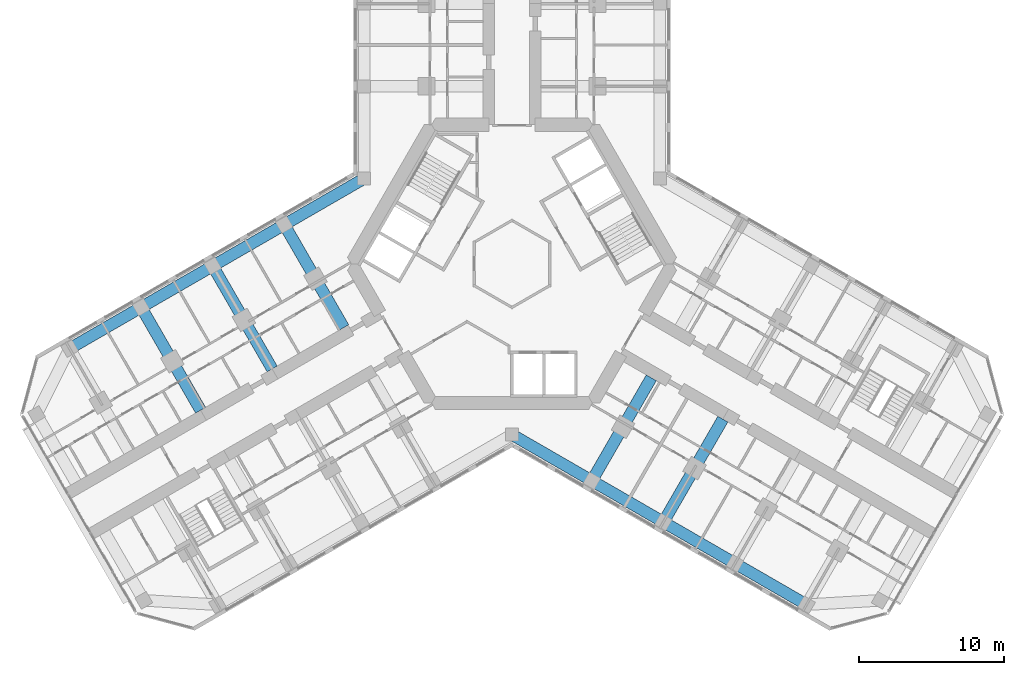
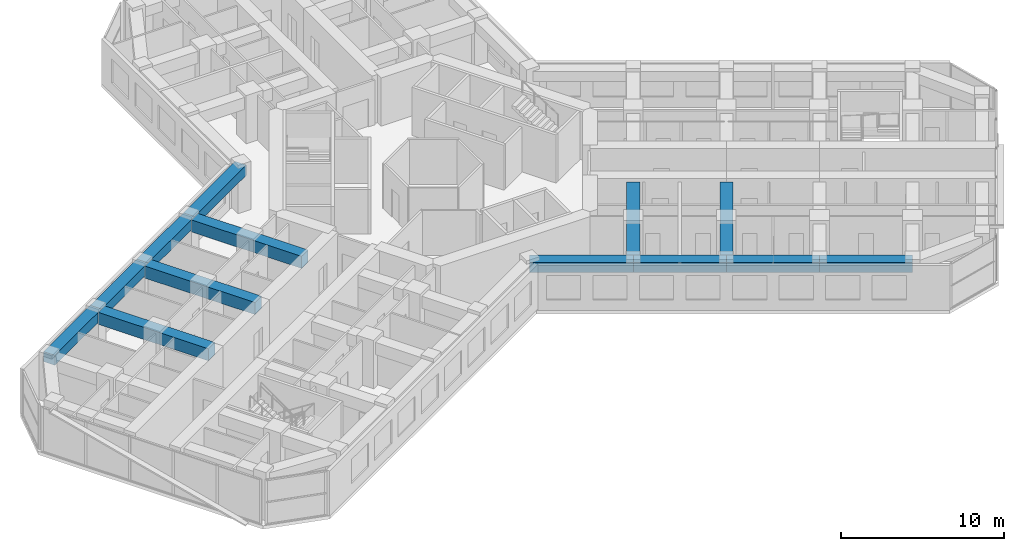
# One storey, part 4 of 19: 13 beams.
"""IFC4 building model written with IfcOpenShell, lengths in metres."""

import ifcopenshell
import ifcopenshell.guid

model = None  # the IFC model being written
_history = None  # IfcOwnerHistory: only IFC2X3 demands one
_inside = {}  # id of a spatial element -> (the spatial element, [elements in it])
_under = {}  # id of a project, library or spatial element -> (it, [spatial elements below it])
_declared = {}  # id of a project -> (the project, [libraries it declares])
_typed = {}  # id of a type object -> (the type object, [elements of that type])
_made_of = {}  # id of a material, layer set ... -> (it, [elements and type objects made of it])


def new_model(schema):
    """Start an empty IFC model of exactly this schema.

    Asked for "IFC4X3", IfcOpenShell would pick the latest addendum, in which some entities
    have other attributes; the version numbers below select the first issue.
    IFC2X3 requires an IfcOwnerHistory on every rooted entity: one is made here for all.
    """
    global model, _history
    if schema == "IFC4X3":
        model = ifcopenshell.file(schema_version=(4, 3, 0, 0))
    else:
        model = ifcopenshell.file(schema=schema)
    _inside.clear()
    _under.clear()
    _declared.clear()
    _typed.clear()
    _made_of.clear()
    _history = None
    if model.schema == "IFC2X3":
        org = make("IfcOrganization", Name="unknown")
        user = make(
            "IfcPersonAndOrganization",
            ThePerson=make("IfcPerson", FamilyName="unknown"),
            TheOrganization=org,
        )
        app = make(
            "IfcApplication",
            ApplicationDeveloper=org,
            Version="unknown",
            ApplicationFullName="unknown",
            ApplicationIdentifier="unknown",
        )
        _history = make(
            "IfcOwnerHistory",
            OwningUser=user,
            OwningApplication=app,
            ChangeAction="ADDED",
            CreationDate=0,
        )
    return model


def make(cls, **values):
    """One entity of the class cls with the attributes given. An attribute that is None is left unset."""
    return model.create_entity(
        cls, **{name: value for name, value in values.items() if value is not None}
    )


def rooted(cls, **values):
    """An entity with a GlobalId (a new one), such as an element, a storey or a relation."""
    return make(cls, GlobalId=ifcopenshell.guid.new(), OwnerHistory=_history, **values)


def si_unit(unit_type, name, prefix=None):
    """IfcSIUnit, for example si_unit("LENGTHUNIT", "METRE", prefix="MILLI")."""
    return make("IfcSIUnit", UnitType=unit_type, Prefix=prefix, Name=name)


def assignment(units):
    """IfcUnitAssignment: the units of a project."""
    return None if units is None else make("IfcUnitAssignment", Units=units)


def point(xyz):
    """IfcCartesianPoint."""
    return None if xyz is None else make("IfcCartesianPoint", Coordinates=xyz)


def direction(xyz):
    """IfcDirection."""
    return None if xyz is None else make("IfcDirection", DirectionRatios=xyz)


def frame(location, z_axis=None, x_axis=None):
    """IfcAxis2Placement3D, a coordinate frame: its origin and axes. An axis left out is left unset."""
    return make(
        "IfcAxis2Placement3D",
        Location=point(location),
        Axis=direction(z_axis),
        RefDirection=direction(x_axis),
    )


def frame_2d(location, x_axis=None):
    """IfcAxis2Placement2D, a coordinate frame in the plane: its origin and x axis."""
    return make(
        "IfcAxis2Placement2D", Location=point(location), RefDirection=direction(x_axis)
    )


def origin():
    """The frame at (0, 0, 0) with its axes left unset."""
    return frame((0.0, 0.0, 0.0))


def origin_2d():
    """The frame at (0, 0) in the plane with its x axis left unset."""
    return frame_2d((0.0, 0.0))


def place(relative_to, where):
    """IfcLocalPlacement: puts the frame where relative to a parent placement (None: the world)."""
    return make(
        "IfcLocalPlacement", PlacementRelTo=relative_to, RelativePlacement=where
    )


def context(
    kind, dimensions, precision=None, world=None, true_north=None, identifier=None
):
    """IfcGeometricRepresentationContext, for example the 3D "Model" context."""
    return make(
        "IfcGeometricRepresentationContext",
        ContextIdentifier=identifier,
        ContextType=kind,
        CoordinateSpaceDimension=dimensions,
        Precision=precision,
        WorldCoordinateSystem=world,
        TrueNorth=true_north,
    )


def subcontext(parent, identifier, kind, view, scale=None):
    """IfcGeometricRepresentationSubContext, for example "Body" below "Model"."""
    return make(
        "IfcGeometricRepresentationSubContext",
        ContextIdentifier=identifier,
        ContextType=kind,
        ParentContext=parent,
        TargetScale=scale,
        TargetView=view,
    )


def project(units=None, contexts=None):
    """IfcProject with its units and contexts."""
    return rooted(
        "IfcProject",
        Name="project",
        RepresentationContexts=contexts,
        UnitsInContext=assignment(units),
    )


def spatial(cls, under=None, at=None, **own):
    """A site, building, storey or space (cls), placed at a placement, below another one or the project."""
    s = rooted(cls, ObjectPlacement=at, **own)
    if under is not None:
        _under.setdefault(under.id(), (under, []))[1].append(s)
    return s


def profile(cls, at=None, kind="AREA", **sizes):
    """A parametric profile (cls). Its sizes go by their IFC names, for example OverallWidth=200.0."""
    return make(cls, ProfileType=kind, Position=at, **sizes)


def rectangle(**sizes):
    """IfcRectangleProfileDef."""
    return profile("IfcRectangleProfileDef", **sizes)


def extrude(swept, where, along, depth):
    """IfcExtrudedAreaSolid: the profile swept, set in the frame where, extruded along a direction by depth."""
    return make(
        "IfcExtrudedAreaSolid",
        SweptArea=swept,
        Position=where,
        ExtrudedDirection=direction(along),
        Depth=depth,
    )


def shape(context_of_items, identifier, shape_type, items):
    """IfcShapeRepresentation: the items that make up one representation, for example the "Body"."""
    return make(
        "IfcShapeRepresentation",
        ContextOfItems=context_of_items,
        RepresentationIdentifier=identifier,
        RepresentationType=shape_type,
        Items=items,
    )


def material(Name=None, Category=None):
    """IfcMaterial."""
    return make("IfcMaterial", Name=Name, Category=Category)


def material_profile(
    of_material, cross_section, Name=None, Category=None, Priority=None
):
    """IfcMaterialProfile: a cross section and its material."""
    return make(
        "IfcMaterialProfile",
        Name=Name,
        Material=of_material,
        Profile=cross_section,
        Priority=Priority,
        Category=Category,
    )


def profile_set(profiles, Name=None, composite=None):
    """IfcMaterialProfileSet."""
    return make(
        "IfcMaterialProfileSet",
        Name=Name,
        MaterialProfiles=profiles,
        CompositeProfile=composite,
    )


def made_of(thing, what):
    """Note that an element or type object is made of a material, layer set ...; save() writes the relation."""
    if what is not None:
        _made_of.setdefault(what.id(), (what, []))[1].append(thing)
    return thing


def type_object(cls, material=None, **own):
    """A type object (cls), such as IfcWallType, which elements share."""
    return made_of(rooted(cls, **own), material)


def element(
    cls,
    number,
    at=None,
    inside=None,
    cuts=None,
    type_object=None,
    material=None,
    context=None,
    identifier="Body",
    shape_type=None,
    held_by="IfcProductDefinitionShape",
    body=None,
    shapes=None,
    **own,
):
    """One element of the class cls, such as IfcWall. Its Tag is "e" and its number.

    at: its placement. inside: the storey or other place that contains it. cuts: it is an
    opening in that element (IfcRelVoidsElement). A single representation is given by context,
    identifier, shape_type and body (its items); several are given by shapes. held_by: the class
    of the entity that holds the representations. save() writes the other relations.
    """
    e = rooted(cls, Tag="e%d" % number, ObjectPlacement=at, **own)
    if body is not None:
        shapes = [shape(context, identifier, shape_type, body)]
    if shapes is not None:
        e.Representation = make(held_by, Representations=shapes)
    if inside is not None:
        _inside.setdefault(inside.id(), (inside, []))[1].append(e)
    if cuts is not None:
        rooted(
            "IfcRelVoidsElement", RelatingBuildingElement=cuts, RelatedOpeningElement=e
        )
    if type_object is not None:
        _typed.setdefault(type_object.id(), (type_object, []))[1].append(e)
    return made_of(e, material)


def aggregate(whole, parts):
    """IfcRelAggregates: a whole, such as a stair, and the parts it consists of."""
    return rooted("IfcRelAggregates", RelatingObject=whole, RelatedObjects=parts)


def save(model, path):
    """Write the relations noted so far, then the file.

    IfcRelAggregates (storeys below a building ...), IfcRelContainedInSpatialStructure (elements
    in a storey), IfcRelDefinesByType, IfcRelAssociatesMaterial and IfcRelDeclares: one each for
    every whole, place, type object, material and project.
    """
    for whole, parts in _under.values():
        aggregate(whole, parts)
    for where, things in _inside.values():
        rooted(
            "IfcRelContainedInSpatialStructure",
            RelatedElements=things,
            RelatingStructure=where,
        )
    for kind, things in _typed.values():
        rooted("IfcRelDefinesByType", RelatedObjects=things, RelatingType=kind)
    for what, things in _made_of.values():
        rooted("IfcRelAssociatesMaterial", RelatedObjects=things, RelatingMaterial=what)
    for by, libraries in _declared.values():
        rooted("IfcRelDeclares", RelatingContext=by, RelatedDefinitions=libraries)
    model.write(path)


model = new_model("IFC4")

# Units and contexts
model_context = context("Model", 3, precision=1e-05, world=origin(), true_north=direction((0.0, 1.0)))
body_context = subcontext(model_context, "Body", "Model", "MODEL_VIEW")
ifc_project = project(units=[si_unit("LENGTHUNIT", "METRE"), si_unit("AREAUNIT", "SQUARE_METRE"), si_unit("VOLUMEUNIT", "CUBIC_METRE"), si_unit("PLANEANGLEUNIT", "RADIAN"), si_unit("MASSUNIT", "GRAM", prefix="KILO")], contexts=[model_context])

# Site, building, storey
site_placement = place(None, origin())
site = spatial("IfcSite", under=ifc_project, at=site_placement, CompositionType="ELEMENT")
building_placement = place(site_placement, origin())
building = spatial("IfcBuilding", under=site, at=building_placement, Name="Kosmar Iwan School Tower", CompositionType="ELEMENT")
storey_placement = place(building_placement, frame((0.0, 0.0, 165.199951171875)))
storey = spatial("IfcBuildingStorey", under=building, at=storey_placement, Name="L41", CompositionType="ELEMENT", Elevation=165.199951171875)

# Beams
ifc_material_1 = material(Name="Concrete C50/60", Category="concrete")
ifc_material_profile_1 = material_profile(ifc_material_1, rectangle(XDim=0.800048828125, YDim=0.75, at=origin_2d()), Name="RC 800x750")
ifc_profile_set_1 = profile_set([ifc_material_profile_1], Name="Concrete C50/60")
beam_type_1 = type_object("IfcBeamType", Name="RC edge beam 800x750", PredefinedType="BEAM", material=ifc_profile_set_1)
beam_1_placement = place(storey_placement, frame((-10.199951171875, 5.888916015625, 2.97509765625), z_axis=(-0.866030912664, -0.49999045822, 0.0), x_axis=(0.49999045822, -0.866030912664, 0.0)))
element("IfcBeam", 1, at=beam_1_placement, inside=storey, type_object=beam_type_1, Name="Edge beam BR1", PredefinedType="BEAM", context=body_context, shape_type="SweptSolid", body=[
    extrude(rectangle(XDim=0.800048828125, YDim=0.75, at=origin_2d()), origin(), (0.0, 0.0, 1.0), 6.36083984375),
])
beam_2_placement = place(storey_placement, frame((-15.708740234375, 2.70849609375, 2.97509765625), z_axis=(-0.866025820012, -0.499999279071, 0.0), x_axis=(0.499999279071, -0.866025820012, 0.0)))
element("IfcBeam", 2, at=beam_2_placement, inside=storey, type_object=beam_type_1, Name="Edge beam BR2", PredefinedType="BEAM", context=body_context, shape_type="SweptSolid", body=[
    extrude(rectangle(XDim=0.800048828125, YDim=0.75, at=origin_2d()), origin(), (0.0, 0.0, 1.0), 5.7001953125),
])
for number, where, z_axis, x_axis, name in (
    (3, (-20.645263671875, -0.1416015625, 2.97509765625), (-0.866033658841, -0.49998570155, 0.0), (0.49998570155, -0.866033658841, 0.0), "Edge beam BR3"),
    (4, (-25.58154296875, -2.991455078125, 2.97509765625), (-0.866015111908, -0.50001782563, 0.0), (0.50001782563, -0.866015111908, 0.0), "Edge beam BR4"),
):
    element("IfcBeam", number, at=place(storey_placement, frame(where, z_axis=z_axis, x_axis=x_axis)), inside=storey, type_object=beam_type_1, Name=name, PredefinedType="BEAM", context=body_context, shape_type="SweptSolid", body=[
        extrude(rectangle(XDim=0.800048828125, YDim=0.75, at=origin_2d()), origin(), (0.0, 0.0, 1.0), 5.699951171875),
    ])
beam_3_placement = place(storey_placement, frame((0.0, -11.77783203125, 2.97509765625), z_axis=(0.866014293216, -0.500019243575, 0.0), x_axis=(0.500019243575, 0.866014293216, 0.0)))
element("IfcBeam", 5, at=beam_3_placement, inside=storey, type_object=beam_type_1, Name="Edge beam CR1", PredefinedType="BEAM", context=body_context, shape_type="SweptSolid", body=[
    extrude(rectangle(XDim=0.800048828125, YDim=0.75, at=origin_2d()), origin(), (0.0, 0.0, 1.0), 6.361083984375),
])
beam_4_placement = place(storey_placement, frame((5.5087890625, -14.95849609375, 2.97509765625), z_axis=(0.866033658841, -0.49998570155, 0.0), x_axis=(0.49998570155, 0.866033658841, 0.0)))
element("IfcBeam", 6, at=beam_4_placement, inside=storey, type_object=beam_type_1, Name="Edge beam CR2", PredefinedType="BEAM", context=body_context, shape_type="SweptSolid", body=[
    extrude(rectangle(XDim=0.800048828125, YDim=0.75, at=origin_2d()), origin(), (0.0, 0.0, 1.0), 5.699951171875),
])
beam_5_placement = place(storey_placement, frame((10.445068359375, -17.808349609375, 2.97509765625), z_axis=(0.866025820012, -0.499999279071, 0.0), x_axis=(0.499999279071, 0.866025820012, 0.0)))
element("IfcBeam", 7, at=beam_5_placement, inside=storey, type_object=beam_type_1, Name="Edge beam CR3", PredefinedType="BEAM", context=body_context, shape_type="SweptSolid", body=[
    extrude(rectangle(XDim=0.800048828125, YDim=0.75, at=origin_2d()), origin(), (0.0, 0.0, 1.0), 5.7001953125),
])
beam_6_placement = place(storey_placement, frame((15.381591796875, -20.658447265625, 2.97509765625), z_axis=(0.866015111908, -0.50001782563, 0.0), x_axis=(0.50001782563, 0.866015111908, 0.0)))
element("IfcBeam", 8, at=beam_6_placement, inside=storey, type_object=beam_type_1, Name="Edge beam CR4", PredefinedType="BEAM", context=body_context, shape_type="SweptSolid", body=[
    extrude(rectangle(XDim=0.800048828125, YDim=0.75, at=origin_2d()), origin(), (0.0, 0.0, 1.0), 5.699951171875),
])
ifc_material_2 = material(Name="Concrete C50/60", Category="concrete")
ifc_material_profile_2 = material_profile(ifc_material_2, rectangle(XDim=0.800048828125, YDim=0.89990234375, at=origin_2d()), Name="RC 800x900")
ifc_profile_set_2 = profile_set([ifc_material_profile_2], Name="Concrete C50/60")
beam_type_2 = type_object("IfcBeamType", Name="RC transverse beam 800x900", PredefinedType="BEAM", material=ifc_profile_set_2)
for number, where, z_axis, x_axis, name in (
    (9, (-15.708740234375, 2.70849609375, 2.900146484375), (0.499978459874, -0.866037839625, 0.0), (0.866037839625, 0.499978459874, 0.0), "Transverse beam BR1"),
    (10, (-20.645263671875, -0.1416015625, 2.900146484375), (0.500013681986, -0.866017504342, 0.0), (0.866017504342, 0.500013681986, 0.0), "Transverse beam BR2"),
):
    element("IfcBeam", number, at=place(storey_placement, frame(where, z_axis=z_axis, x_axis=x_axis)), inside=storey, type_object=beam_type_2, Name=name, PredefinedType="BEAM", context=body_context, shape_type="SweptSolid", body=[
        extrude(rectangle(XDim=0.800048828125, YDim=0.89990234375, at=origin_2d()), origin(), (0.0, 0.0, 1.0), 8.199951171875),
    ])
for number, where, z_axis, x_axis, name in (
    (11, (-25.58154296875, -2.991455078125, 2.900146484375), (0.500000789788, -0.8660249478, 0.0), (0.8660249478, 0.500000789788, 0.0), "Transverse beam BR3"),
    (12, (5.5087890625, -14.95849609375, 2.900146484375), (0.500000789788, 0.8660249478, 0.0), (-0.8660249478, 0.500000789788, 0.0), "Transverse beam CR1"),
):
    element("IfcBeam", number, at=place(storey_placement, frame(where, z_axis=z_axis, x_axis=x_axis)), inside=storey, type_object=beam_type_2, Name=name, PredefinedType="BEAM", context=body_context, shape_type="SweptSolid", body=[
        extrude(rectangle(XDim=0.800048828125, YDim=0.89990234375, at=origin_2d()), origin(), (0.0, 0.0, 1.0), 8.2001953125),
    ])
beam_7_placement = place(storey_placement, frame((10.445068359375, -17.808349609375, 2.900146484375), z_axis=(0.500013681986, 0.866017504342, 0.0), x_axis=(-0.866017504342, 0.500013681986, 0.0)))
element("IfcBeam", 13, at=beam_7_placement, inside=storey, type_object=beam_type_2, Name="Transverse beam CR2", PredefinedType="BEAM", context=body_context, shape_type="SweptSolid", body=[
    extrude(rectangle(XDim=0.800048828125, YDim=0.89990234375, at=origin_2d()), origin(), (0.0, 0.0, 1.0), 8.199951171875),
])

save(model, "model.ifc")
